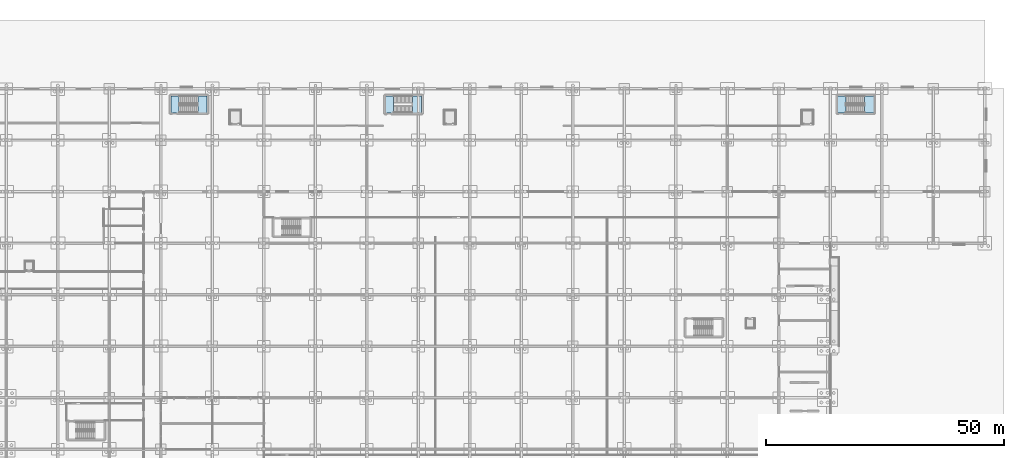
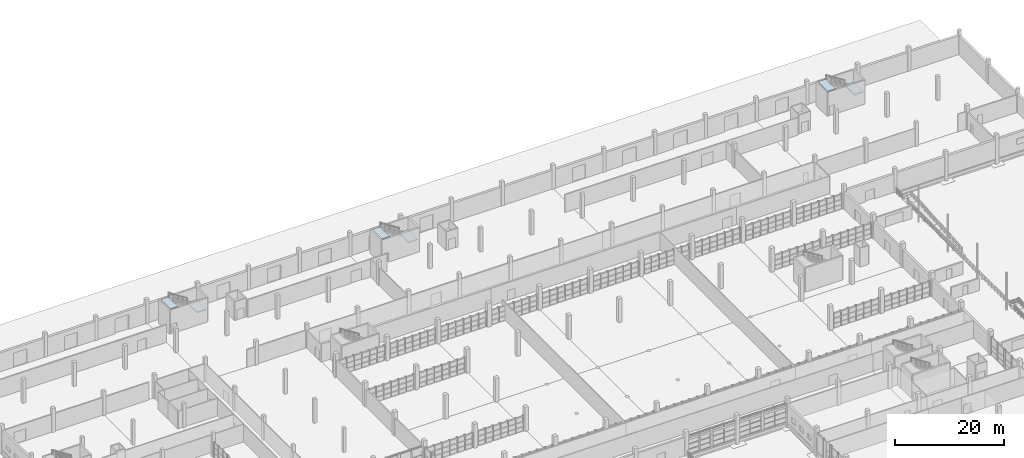
# One storey, part 97 of 138: 6 slabs, 3 elements without a shape of their own.
"""IFC4 building model written with IfcOpenShell, lengths in metres."""

from ifc_helpers import new_model, si_unit, direction, frame, origin, place, context, subcontext, project, spatial, polyline, outline, extrude, material, layer, layer_set, type_object, element, aggregate, save


model = new_model("IFC4")

# Units and contexts
model_context = context("Model", 3, precision=1e-05, world=origin(), true_north=direction((0.0, 1.0)))
body_context = subcontext(model_context, "Body", "Model", "MODEL_VIEW")
ifc_project = project(units=[si_unit("LENGTHUNIT", "METRE"), si_unit("AREAUNIT", "SQUARE_METRE"), si_unit("VOLUMEUNIT", "CUBIC_METRE"), si_unit("PLANEANGLEUNIT", "RADIAN"), si_unit("MASSUNIT", "GRAM", prefix="KILO")], contexts=[model_context])

# Site, building, storey
site_placement = place(None, origin())
site = spatial("IfcSite", under=ifc_project, at=site_placement, CompositionType="ELEMENT")
building_placement = place(site_placement, origin())
building = spatial("IfcBuilding", under=site, at=building_placement, Name="Zwinboog Wholesale Market", CompositionType="ELEMENT")
storey_placement = place(building_placement, origin())
storey = spatial("IfcBuildingStorey", under=building, at=storey_placement, Name="L00", CompositionType="ELEMENT", Elevation=0.0)

# Stair, slabs
ifc_material = material(Name="Concrete C40/50", Category="concrete")
stair_type_1 = type_object("IfcStairType", Name="STT-DOG-145", PredefinedType="HALF_TURN_STAIR", material=ifc_material)
stair_1_placement = place(storey_placement, origin())
stair_1 = element("IfcStair", 1, at=stair_1_placement, inside=storey, type_object=stair_type_1, Name="Enclosed Escape Stair ST-04", PredefinedType="HALF_TURN_STAIR")
ifc_layer_1 = layer(ifc_material, 0.199951171875)
ifc_layer_set_1 = layer_set([ifc_layer_1], Name="Concrete C40/50")
slab_type_1 = type_object("IfcSlabType", Name="SLT-LND-200", PredefinedType="LANDING", material=ifc_layer_set_1)
slab_1_placement = place(storey_placement, frame((0.0, 0.0, 2.5)))
slab_1 = element("IfcSlab", 2, at=slab_1_placement, type_object=slab_type_1, Name="ST-04 landing 1", PredefinedType="LANDING", context=body_context, shape_type="SweptSolid", body=[
    extrude(outline(polyline([(95.93994140625, 124.5048828125), (97.89501953125, 124.5048828125), (97.89501953125, 128.094970703125), (95.93994140625, 128.094970703125), (95.93994140625, 124.5048828125)])), origin(), (0.0, 0.0, 1.0), 0.199951171875),
])
slab_2_placement = place(storey_placement, frame((0.0, 0.0, 5.199951171875)))
slab_2 = element("IfcSlab", 3, at=slab_2_placement, type_object=slab_type_1, Name="ST-04 landing 2", PredefinedType="LANDING", context=body_context, shape_type="SweptSolid", body=[
    extrude(outline(polyline([(90.304931640625, 124.5048828125), (92.02001953125, 124.5048828125), (92.02001953125, 128.094970703125), (90.304931640625, 128.094970703125), (90.304931640625, 124.5048828125)])), origin(), (0.0, 0.0, 1.0), 0.199951171875),
])
aggregate(stair_1, [slab_1, slab_2])

stair_type_2 = type_object("IfcStairType", Name="STT-DOG-160", PredefinedType="HALF_TURN_STAIR", material=ifc_material)
stair_2_placement = place(storey_placement, origin())
stair_2 = element("IfcStair", 4, at=stair_2_placement, inside=storey, type_object=stair_type_2, Name="Enclosed Escape Stair ST-03", PredefinedType="HALF_TURN_STAIR")
ifc_layer_2 = layer(ifc_material, 0.219970703125)
ifc_layer_set_2 = layer_set([ifc_layer_2], Name="Concrete C40/50")
slab_type_2 = type_object("IfcSlabType", Name="SLT-LND-220", PredefinedType="LANDING", material=ifc_layer_set_2)
slab_3_placement = place(storey_placement, frame((0.0, 0.0, 2.47998046875)))
slab_3 = element("IfcSlab", 5, at=slab_3_placement, type_object=slab_type_2, Name="ST-03 landing 1", PredefinedType="LANDING", context=body_context, shape_type="SweptSolid", body=[
    extrude(outline(polyline([(50.93994140625, 124.5048828125), (52.89501953125, 124.5048828125), (52.89501953125, 128.094970703125), (50.93994140625, 128.094970703125), (50.93994140625, 124.5048828125)])), origin(), (0.0, 0.0, 1.0), 0.219970703125),
])
slab_4_placement = place(storey_placement, frame((0.0, 0.0, 5.179931640625)))
slab_4 = element("IfcSlab", 6, at=slab_4_placement, type_object=slab_type_2, Name="ST-03 landing 2", PredefinedType="LANDING", context=body_context, shape_type="SweptSolid", body=[
    extrude(outline(polyline([(45.304931640625, 124.5048828125), (47.02001953125, 124.5048828125), (47.02001953125, 128.094970703125), (45.304931640625, 128.094970703125), (45.304931640625, 124.5048828125)])), origin(), (0.0, 0.0, 1.0), 0.219970703125),
])
aggregate(stair_2, [slab_3, slab_4])

stair_3_placement = place(storey_placement, origin())
stair_3 = element("IfcStair", 7, at=stair_3_placement, inside=storey, type_object=stair_type_2, Name="Enclosed Escape Stair ST-05", PredefinedType="HALF_TURN_STAIR")
slab_5_placement = place(storey_placement, frame((0.0, 0.0, 2.47998046875)))
slab_5 = element("IfcSlab", 8, at=slab_5_placement, type_object=slab_type_2, Name="ST-05 landing 1", PredefinedType="LANDING", context=body_context, shape_type="SweptSolid", body=[
    extrude(outline(polyline([(190.739990234375, 124.5048828125), (192.695068359375, 124.5048828125), (192.695068359375, 128.094970703125), (190.739990234375, 128.094970703125), (190.739990234375, 124.5048828125)])), origin(), (0.0, 0.0, 1.0), 0.219970703125),
])
slab_6_placement = place(storey_placement, frame((0.0, 0.0, 5.179931640625)))
slab_6 = element("IfcSlab", 9, at=slab_6_placement, type_object=slab_type_2, Name="ST-05 landing 2", PredefinedType="LANDING", context=body_context, shape_type="SweptSolid", body=[
    extrude(outline(polyline([(185.10498046875, 124.5048828125), (186.820068359375, 124.5048828125), (186.820068359375, 128.094970703125), (185.10498046875, 128.094970703125), (185.10498046875, 124.5048828125)])), origin(), (0.0, 0.0, 1.0), 0.219970703125),
])
aggregate(stair_3, [slab_5, slab_6])

save(model, "model.ifc")
